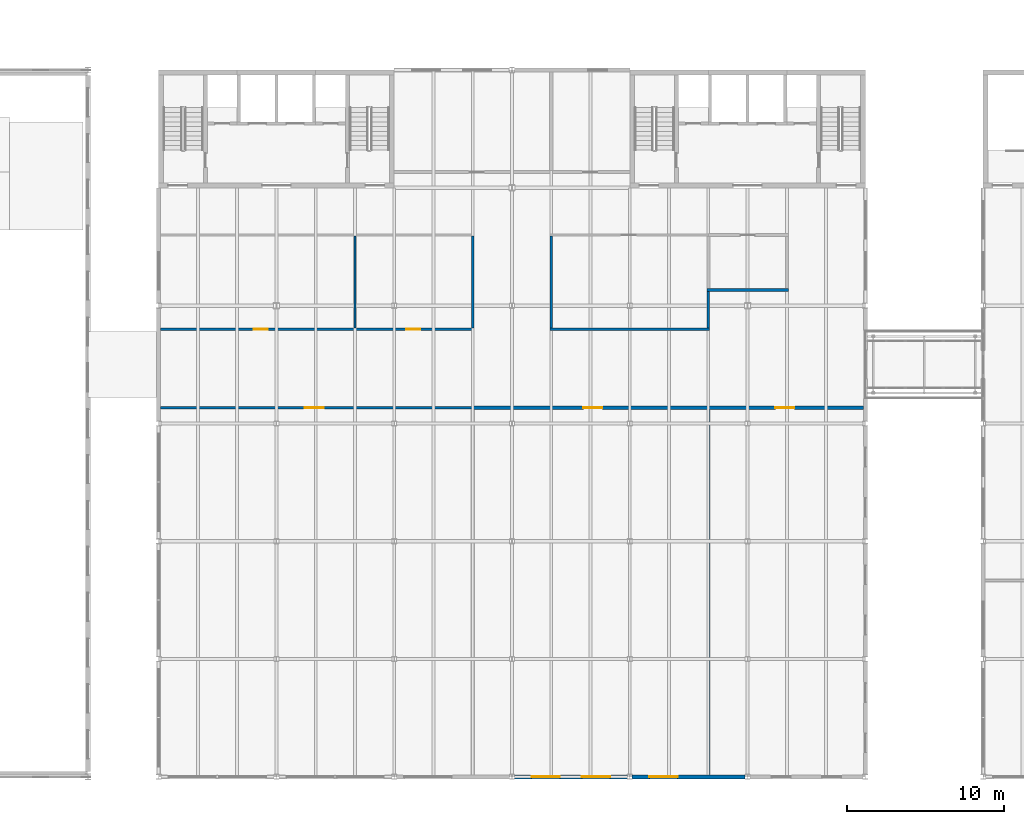
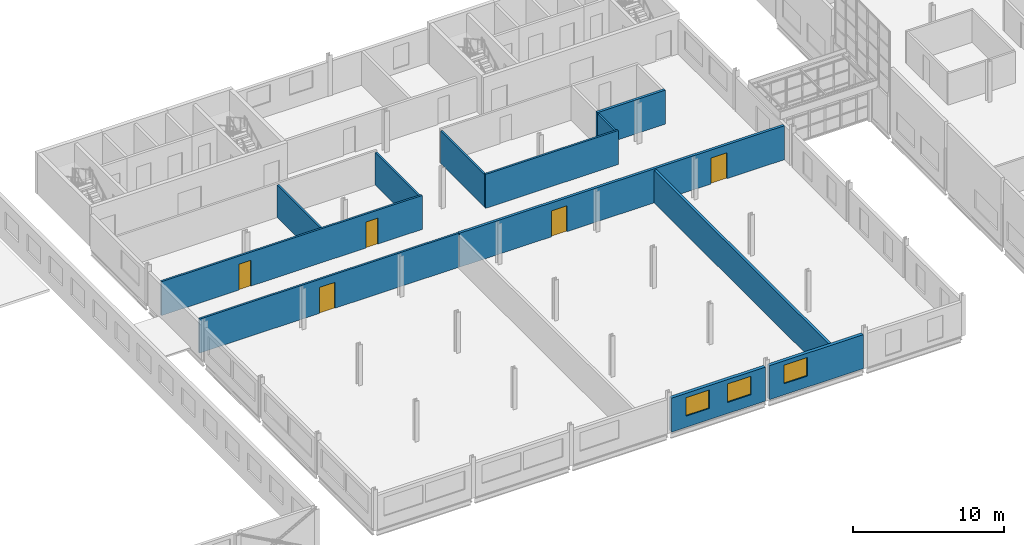
# One storey, part 46 of 198: 12 walls, 5 doors, 3 windows, 8 openings.
"""IFC4 building model written with IfcOpenShell, lengths in metres."""

from ifc_helpers import new_model, si_unit, direction, frame, frame_2d, origin, place, context, subcontext, project, spatial, rectangle, extrude, material, layer, layer_set, type_object, element, fill, save


model = new_model("IFC4")

# Units and contexts
model_context = context("Model", 3, precision=1e-05, world=origin(), true_north=direction((0.0, 1.0)))
body_context = subcontext(model_context, "Body", "Model", "MODEL_VIEW")
ifc_project = project(units=[si_unit("LENGTHUNIT", "METRE"), si_unit("AREAUNIT", "SQUARE_METRE"), si_unit("VOLUMEUNIT", "CUBIC_METRE"), si_unit("PLANEANGLEUNIT", "RADIAN"), si_unit("MASSUNIT", "GRAM", prefix="KILO")], contexts=[model_context])

# Site, building, storey
site_placement = place(None, origin())
site = spatial("IfcSite", under=ifc_project, at=site_placement, CompositionType="ELEMENT")
building_placement = place(site_placement, origin())
building = spatial("IfcBuilding", under=site, at=building_placement, Name="Parallax Yard Mobility Hub", CompositionType="ELEMENT")
storey_placement = place(building_placement, frame((0.0, 0.0, 6.60009765625)))
storey = spatial("IfcBuildingStorey", under=building, at=storey_placement, Name="L02", CompositionType="ELEMENT", Elevation=6.60009765625)

# Wall, openings, windows
ifc_material_1 = material(Name="Concrete fc' 35 MPa", Category="concrete")
ifc_layer_1 = layer(ifc_material_1, 0.25)
ifc_layer_set_1 = layer_set([ifc_layer_1], Name="Exterior wall, Concrete fc' 35 MPa precast, 250 with insulation lining")
wall_type_1 = type_object("IfcWallType", Name="Exterior wall, Concrete fc' 35 MPa precast, 250 with insulation lining", PredefinedType="SOLIDWALL", material=ifc_layer_set_1)
wall_1_placement = place(storey_placement, frame((120.153564453125, 7.5, 0.0), z_axis=(0.0, 0.0, 1.0), x_axis=(1.0, 0.0, 0.0)))
wall_1 = element("IfcWall", 1, at=wall_1_placement, inside=storey, type_object=wall_type_1, Name="Mobility service centre and workshops south wall bay 4 level L02", PredefinedType="SOLIDWALL", context=body_context, shape_type="SweptSolid", body=[
    extrude(rectangle(XDim=7.19287109375, YDim=0.25, at=frame_2d((3.596435546875, 0.0))), origin(), (0.0, 0.0, 1.0), 2.7509765625),
])
opening_1_placement = place(wall_1_placement, frame((1.09765625, 0.0, 0.89990234375)))
opening_1 = element("IfcOpeningElement", 2, at=opening_1_placement, cuts=wall_1, Name="Opening W5", PredefinedType="OPENING", context=body_context, shape_type="SweptSolid", body=[
    extrude(rectangle(XDim=1.800048828125, YDim=1.5, at=frame_2d((0.89990234375, 0.75))), frame((0.0, 0.135009765625, 0.0), z_axis=(0.0, -1.0, 0.0), x_axis=(1.0, 0.0, 0.0)), (0.0, 0.0, 1.0), 0.27001953125),
])
opening_2_placement = place(wall_1_placement, frame((4.29541015625, 0.0, 0.89990234375)))
opening_2 = element("IfcOpeningElement", 3, at=opening_2_placement, cuts=wall_1, Name="Opening W5", PredefinedType="OPENING", context=body_context, shape_type="SweptSolid", body=[
    extrude(rectangle(XDim=1.800048828125, YDim=1.5, at=frame_2d((0.89990234375, 0.75))), frame((0.0, 0.135009765625, 0.0), z_axis=(0.0, -1.0, 0.0), x_axis=(1.0, 0.0, 0.0)), (0.0, 0.0, 1.0), 0.27001953125),
])
ifc_material_2 = material(Name="Double glazed low-E unit in thermally broken aluminium frame", Category="aluminium")
window_type = type_object("IfcWindowType", Name="Laboratory window 1800 x 1500", PartitioningType="SINGLE_PANEL", PredefinedType="WINDOW", material=ifc_material_2)
window_1_placement = place(opening_1_placement, origin())
window_1 = element("IfcWindow", 4, at=window_1_placement, inside=storey, type_object=window_type, Name="Window W5 level L02", OverallHeight=1.5, OverallWidth=1.800048828125, PartitioningType="SINGLE_PANEL", PredefinedType="WINDOW", context=body_context, shape_type="SweptSolid", body=[
    extrude(rectangle(XDim=1.800048828125, YDim=1.5, at=frame_2d((0.89990234375, 0.75))), frame((0.0, 0.030029296875, 0.0), z_axis=(0.0, -1.0, 0.0), x_axis=(1.0, 0.0, 0.0)), (0.0, 0.0, 1.0), 0.06005859375),
])
fill(opening_1, window_1)
window_2_placement = place(opening_2_placement, origin())
window_2 = element("IfcWindow", 5, at=window_2_placement, inside=storey, type_object=window_type, Name="Window W5 level L02", OverallHeight=1.5, OverallWidth=1.800048828125, PartitioningType="SINGLE_PANEL", PredefinedType="WINDOW", context=body_context, shape_type="SweptSolid", body=[
    extrude(rectangle(XDim=1.800048828125, YDim=1.5, at=frame_2d((0.89990234375, 0.75))), frame((0.0, 0.030029296875, 0.0), z_axis=(0.0, -1.0, 0.0), x_axis=(1.0, 0.0, 0.0)), (0.0, 0.0, 1.0), 0.06005859375),
])
fill(opening_2, window_2)

# Wall, opening, window
wall_2_placement = place(storey_placement, frame((127.653564453125, 7.5, 0.0), z_axis=(0.0, 0.0, 1.0), x_axis=(1.0, 0.0, 0.0)))
wall_2 = element("IfcWall", 6, at=wall_2_placement, inside=storey, type_object=wall_type_1, Name="Mobility service centre and workshops south wall bay 5 level L02", PredefinedType="SOLIDWALL", context=body_context, shape_type="SweptSolid", body=[
    extrude(rectangle(XDim=7.19287109375, YDim=0.25, at=frame_2d((3.596435546875, 0.0))), origin(), (0.0, 0.0, 1.0), 2.7509765625),
])
opening_3_placement = place(wall_2_placement, frame((1.09765625, 0.0, 0.89990234375)))
opening_3 = element("IfcOpeningElement", 7, at=opening_3_placement, cuts=wall_2, Name="Opening W5", PredefinedType="OPENING", context=body_context, shape_type="SweptSolid", body=[
    extrude(rectangle(XDim=1.800048828125, YDim=1.5, at=frame_2d((0.89990234375, 0.75))), frame((0.0, 0.135009765625, 0.0), z_axis=(0.0, -1.0, 0.0), x_axis=(1.0, 0.0, 0.0)), (0.0, 0.0, 1.0), 0.27001953125),
])
window_3_placement = place(opening_3_placement, origin())
window_3 = element("IfcWindow", 8, at=window_3_placement, inside=storey, type_object=window_type, Name="Window W5 level L02", OverallHeight=1.5, OverallWidth=1.800048828125, PartitioningType="SINGLE_PANEL", PredefinedType="WINDOW", context=body_context, shape_type="SweptSolid", body=[
    extrude(rectangle(XDim=1.800048828125, YDim=1.5, at=frame_2d((0.89990234375, 0.75))), frame((0.0, 0.030029296875, 0.0), z_axis=(0.0, -1.0, 0.0), x_axis=(1.0, 0.0, 0.0)), (0.0, 0.0, 1.0), 0.06005859375),
])
fill(opening_3, window_3)

# Wall, openings, doors
ifc_material_3 = material(Name="Fire-rated plasterboard partition, two layers each side")
ifc_layer_2 = layer(ifc_material_3, 0.199951171875)
ifc_layer_set_2 = layer_set([ifc_layer_2], Name="Fire-rated partition 200 mm")
wall_type_2 = type_object("IfcWallType", Name="Fire-rated partition 200 mm", PredefinedType="PARTITIONING", material=ifc_layer_set_2)
wall_3_placement = place(storey_placement, frame((117.5, 31.0, 0.0), z_axis=(0.0, 0.0, 1.0), x_axis=(1.0, 0.0, 0.0)))
wall_3 = element("IfcWall", 9, at=wall_3_placement, inside=storey, type_object=wall_type_2, Name="Partition 4 level L02", PredefinedType="PARTITIONING", context=body_context, shape_type="SweptSolid", body=[
    extrude(rectangle(XDim=24.875, YDim=0.199951171875, at=frame_2d((12.4375, 0.0))), origin(), (0.0, 0.0, 1.0), 2.7509765625),
])
opening_4_placement = place(wall_3_placement, frame((7.050048828125, 0.0, 0.0)))
opening_4 = element("IfcOpeningElement", 10, at=opening_4_placement, cuts=wall_3, Name="Opening L02-D203", PredefinedType="OPENING", context=body_context, shape_type="SweptSolid", body=[
    extrude(rectangle(XDim=1.199951171875, YDim=2.10009765625, at=frame_2d((0.60009765625, 1.050048828125))), frame((0.0, 0.10986328125, 0.0), z_axis=(0.0, -1.0, 0.0), x_axis=(1.0, 0.0, 0.0)), (0.0, 0.0, 1.0), 0.219970703125),
])
opening_5_placement = place(wall_3_placement, frame((19.275146484375, 0.0, 0.0)))
opening_5 = element("IfcOpeningElement", 11, at=opening_5_placement, cuts=wall_3, Name="Opening L02-D204", PredefinedType="OPENING", context=body_context, shape_type="SweptSolid", body=[
    extrude(rectangle(XDim=1.199951171875, YDim=2.10009765625, at=frame_2d((0.60009765625, 1.050048828125))), frame((0.0, 0.10986328125, 0.0), z_axis=(0.0, -1.0, 0.0), x_axis=(1.0, 0.0, 0.0)), (0.0, 0.0, 1.0), 0.219970703125),
])
ifc_material_4 = material(Name="Hollow metal fire door leaf with intumescent seals")
door_type_1 = type_object("IfcDoorType", Name="Fire door 1200 mm FD60", OperationType="DOUBLE_DOOR_SINGLE_SWING", PredefinedType="DOOR", material=ifc_material_4)
door_1_placement = place(opening_4_placement, origin())
door_1 = element("IfcDoor", 12, at=door_1_placement, inside=storey, type_object=door_type_1, Name="Door L02-D203 EV Equipment Laboratory", OperationType="DOUBLE_DOOR_SINGLE_SWING", OverallHeight=2.10009765625, OverallWidth=1.199951171875, PredefinedType="DOOR", context=body_context, shape_type="SweptSolid", body=[
    extrude(rectangle(XDim=1.199951171875, YDim=2.10009765625, at=frame_2d((0.60009765625, 1.050048828125))), frame((0.0, 0.02490234375, 0.0), z_axis=(0.0, -1.0, 0.0), x_axis=(1.0, 0.0, 0.0)), (0.0, 0.0, 1.0), 0.050048828125),
])
fill(opening_4, door_1)
door_2_placement = place(opening_5_placement, origin())
door_2 = element("IfcDoor", 13, at=door_2_placement, inside=storey, type_object=door_type_1, Name="Door L02-D204 Parts Store", OperationType="DOUBLE_DOOR_SINGLE_SWING", OverallHeight=2.10009765625, OverallWidth=1.199951171875, PredefinedType="DOOR", context=body_context, shape_type="SweptSolid", body=[
    extrude(rectangle(XDim=1.199951171875, YDim=2.10009765625, at=frame_2d((0.60009765625, 1.050048828125))), frame((0.0, 0.02490234375, 0.0), z_axis=(0.0, -1.0, 0.0), x_axis=(1.0, 0.0, 0.0)), (0.0, 0.0, 1.0), 0.050048828125),
])
fill(opening_5, door_2)

# Walls
wall_4_placement = place(storey_placement, frame((132.39990234375, 38.5, 0.0), z_axis=(0.0, 0.0, 1.0), x_axis=(1.0, 0.0, 0.0)))
element("IfcWall", 14, at=wall_4_placement, inside=storey, type_object=wall_type_2, Name="Partition 11 level L02", PredefinedType="PARTITIONING", context=body_context, shape_type="SweptSolid", body=[
    extrude(rectangle(XDim=5.2001953125, YDim=0.199951171875, at=frame_2d((2.60009765625, 0.0))), origin(), (0.0, 0.0, 1.0), 2.7509765625),
])
wall_5_placement = place(storey_placement, frame((132.5, 7.625, 0.0), z_axis=(0.0, 0.0, 1.0), x_axis=(0.0, 1.0, 0.0)))
element("IfcWall", 15, at=wall_5_placement, inside=storey, type_object=wall_type_2, Name="Partition 43 level L02", PredefinedType="PARTITIONING", context=body_context, shape_type="SweptSolid", body=[
    extrude(rectangle(XDim=23.27490234375, YDim=0.199951171875, at=frame_2d((11.637451171875, 0.0))), origin(), (0.0, 0.0, 1.0), 2.626953125),
])

# Wall, opening, door
ifc_material_5 = material(Name="Plasterboard partition on light framing")
ifc_layer_3 = layer(ifc_material_5, 0.14990234375)
ifc_layer_set_3 = layer_set([ifc_layer_3], Name="Partition 150 mm")
wall_type_3 = type_object("IfcWallType", Name="Partition 150 mm", PredefinedType="PARTITIONING", material=ifc_layer_set_3)
wall_6_placement = place(storey_placement, frame((97.625, 31.0, 0.0), z_axis=(0.0, 0.0, 1.0), x_axis=(1.0, 0.0, 0.0)))
wall_6 = element("IfcWall", 16, at=wall_6_placement, inside=storey, type_object=wall_type_3, Name="Partition 3 level L02", PredefinedType="PARTITIONING", context=body_context, shape_type="SweptSolid", body=[
    extrude(rectangle(XDim=19.875, YDim=0.14990234375, at=frame_2d((9.9375, 0.0))), origin(), (0.0, 0.0, 1.0), 2.7509765625),
])
opening_6_placement = place(wall_6_placement, frame((9.175048828125, 0.0, 0.0)))
opening_6 = element("IfcOpeningElement", 17, at=opening_6_placement, cuts=wall_6, Name="Opening L02-D202", PredefinedType="OPENING", context=body_context, shape_type="SweptSolid", body=[
    extrude(rectangle(XDim=1.199951171875, YDim=2.10009765625, at=frame_2d((0.60009765625, 1.050048828125))), frame((0.0, 0.0849609375, 0.0), z_axis=(0.0, -1.0, 0.0), x_axis=(1.0, 0.0, 0.0)), (0.0, 0.0, 1.0), 0.169921875),
])
ifc_material_6 = material(Name="Solid timber door leaf", Category="wood")
door_type_2 = type_object("IfcDoorType", Name="Interior door 1200 mm", OperationType="DOUBLE_DOOR_SINGLE_SWING", PredefinedType="DOOR", material=ifc_material_6)
door_3_placement = place(opening_6_placement, origin())
door_3 = element("IfcDoor", 18, at=door_3_placement, inside=storey, type_object=door_type_2, Name="Door L02-D202 Driver Training Room", OperationType="DOUBLE_DOOR_SINGLE_SWING", OverallHeight=2.10009765625, OverallWidth=1.199951171875, PredefinedType="DOOR", context=body_context, shape_type="SweptSolid", body=[
    extrude(rectangle(XDim=1.199951171875, YDim=2.10009765625, at=frame_2d((0.60009765625, 1.050048828125))), frame((0.0, 0.02490234375, 0.0), z_axis=(0.0, -1.0, 0.0), x_axis=(1.0, 0.0, 0.0)), (0.0, 0.0, 1.0), 0.050048828125),
])
fill(opening_6, door_3)

# Wall, openings, doors
wall_7_placement = place(storey_placement, frame((97.625, 36.0, 0.0), z_axis=(0.0, 0.0, 1.0), x_axis=(1.0, 0.0, 0.0)))
wall_7 = element("IfcWall", 19, at=wall_7_placement, inside=storey, type_object=wall_type_3, Name="Partition 7 level L02", PredefinedType="PARTITIONING", context=body_context, shape_type="SweptSolid", body=[
    extrude(rectangle(XDim=19.949951171875, YDim=0.14990234375, at=frame_2d((9.97509765625, 0.0))), origin(), (0.0, 0.0, 1.0), 2.7509765625),
])
opening_7_placement = place(wall_7_placement, frame((5.925048828125, 0.0, 0.0)))
opening_7 = element("IfcOpeningElement", 20, at=opening_7_placement, cuts=wall_7, Name="Opening L02-D208", PredefinedType="OPENING", context=body_context, shape_type="SweptSolid", body=[
    extrude(rectangle(XDim=0.89990234375, YDim=2.10009765625, at=frame_2d((0.449951171875, 1.050048828125))), frame((0.0, 0.0849609375, 0.0), z_axis=(0.0, -1.0, 0.0), x_axis=(1.0, 0.0, 0.0)), (0.0, 0.0, 1.0), 0.169921875),
])
opening_8_placement = place(wall_7_placement, frame((15.6376953125, 0.0, 0.0)))
opening_8 = element("IfcOpeningElement", 21, at=opening_8_placement, cuts=wall_7, Name="Opening L02-D209", PredefinedType="OPENING", context=body_context, shape_type="SweptSolid", body=[
    extrude(rectangle(XDim=0.89990234375, YDim=2.10009765625, at=frame_2d((0.449951171875, 1.050048828125))), frame((0.0, 0.0849609375, 0.0), z_axis=(0.0, -1.0, 0.0), x_axis=(1.0, 0.0, 0.0)), (0.0, 0.0, 1.0), 0.169921875),
])
door_type_3 = type_object("IfcDoorType", Name="Interior door 900 mm", OperationType="NOTDEFINED", PredefinedType="DOOR", material=ifc_material_6)
door_4_placement = place(opening_7_placement, origin())
door_4 = element("IfcDoor", 22, at=door_4_placement, inside=storey, type_object=door_type_3, Name="Door L02-D208 Operator Office", OperationType="SINGLE_SWING_LEFT", OverallHeight=2.10009765625, OverallWidth=0.89990234375, PredefinedType="DOOR", context=body_context, shape_type="SweptSolid", body=[
    extrude(rectangle(XDim=0.89990234375, YDim=2.10009765625, at=frame_2d((0.449951171875, 1.050048828125))), frame((0.0, 0.02490234375, 0.0), z_axis=(0.0, -1.0, 0.0), x_axis=(1.0, 0.0, 0.0)), (0.0, 0.0, 1.0), 0.050048828125),
])
fill(opening_7, door_4)
door_5_placement = place(opening_8_placement, origin())
door_5 = element("IfcDoor", 23, at=door_5_placement, inside=storey, type_object=door_type_3, Name="Door L02-D209 Meeting Room", OperationType="SINGLE_SWING_RIGHT", OverallHeight=2.10009765625, OverallWidth=0.89990234375, PredefinedType="DOOR", context=body_context, shape_type="SweptSolid", body=[
    extrude(rectangle(XDim=0.89990234375, YDim=2.10009765625, at=frame_2d((0.449951171875, 1.050048828125))), frame((0.0, 0.02490234375, 0.0), z_axis=(0.0, -1.0, 0.0), x_axis=(1.0, 0.0, 0.0)), (0.0, 0.0, 1.0), 0.050048828125),
])
fill(opening_8, door_5)

# Walls
wall_8_placement = place(storey_placement, frame((122.425048828125, 36.0, 0.0), z_axis=(0.0, 0.0, 1.0), x_axis=(1.0, 0.0, 0.0)))
element("IfcWall", 24, at=wall_8_placement, inside=storey, type_object=wall_type_3, Name="Partition 8 level L02", PredefinedType="PARTITIONING", context=body_context, shape_type="SweptSolid", body=[
    extrude(rectangle(XDim=10.14990234375, YDim=0.14990234375, at=frame_2d((5.074951171875, 0.0))), origin(), (0.0, 0.0, 1.0), 2.7509765625),
])
for number, where, z_axis, x_axis, name in (
    (25, (110.0, 36.074951171875, 0.0), (0.0, 0.0, 1.0), (0.0, 1.0, 0.0), "Partition 36 level L02"),
    (26, (117.5, 36.074951171875, 0.0), (0.0, 0.0, 1.0), (0.0, 1.0, 0.0), "Partition 39 level L02"),
    (27, (122.5, 36.074951171875, 0.0), (0.0, 0.0, 1.0), (0.0, 1.0, 0.0), "Partition 40 level L02"),
):
    element("IfcWall", number, at=place(storey_placement, frame(where, z_axis=z_axis, x_axis=x_axis)), inside=storey, type_object=wall_type_3, Name=name, PredefinedType="PARTITIONING", context=body_context, shape_type="SweptSolid", body=[
        extrude(rectangle(XDim=5.85009765625, YDim=0.14990234375, at=frame_2d((2.925048828125, 0.0))), origin(), (0.0, 0.0, 1.0), 2.626953125),
    ])
wall_9_placement = place(storey_placement, frame((132.5, 36.074951171875, 0.0), z_axis=(0.0, 0.0, 1.0), x_axis=(0.0, 1.0, 0.0)))
element("IfcWall", 28, at=wall_9_placement, inside=storey, type_object=wall_type_3, Name="Partition 44 level L02", PredefinedType="PARTITIONING", context=body_context, shape_type="SweptSolid", body=[
    extrude(rectangle(XDim=2.324951171875, YDim=0.14990234375, at=frame_2d((1.16259765625, 0.0))), origin(), (0.0, 0.0, 1.0), 2.626953125),
])

save(model, "model.ifc")
